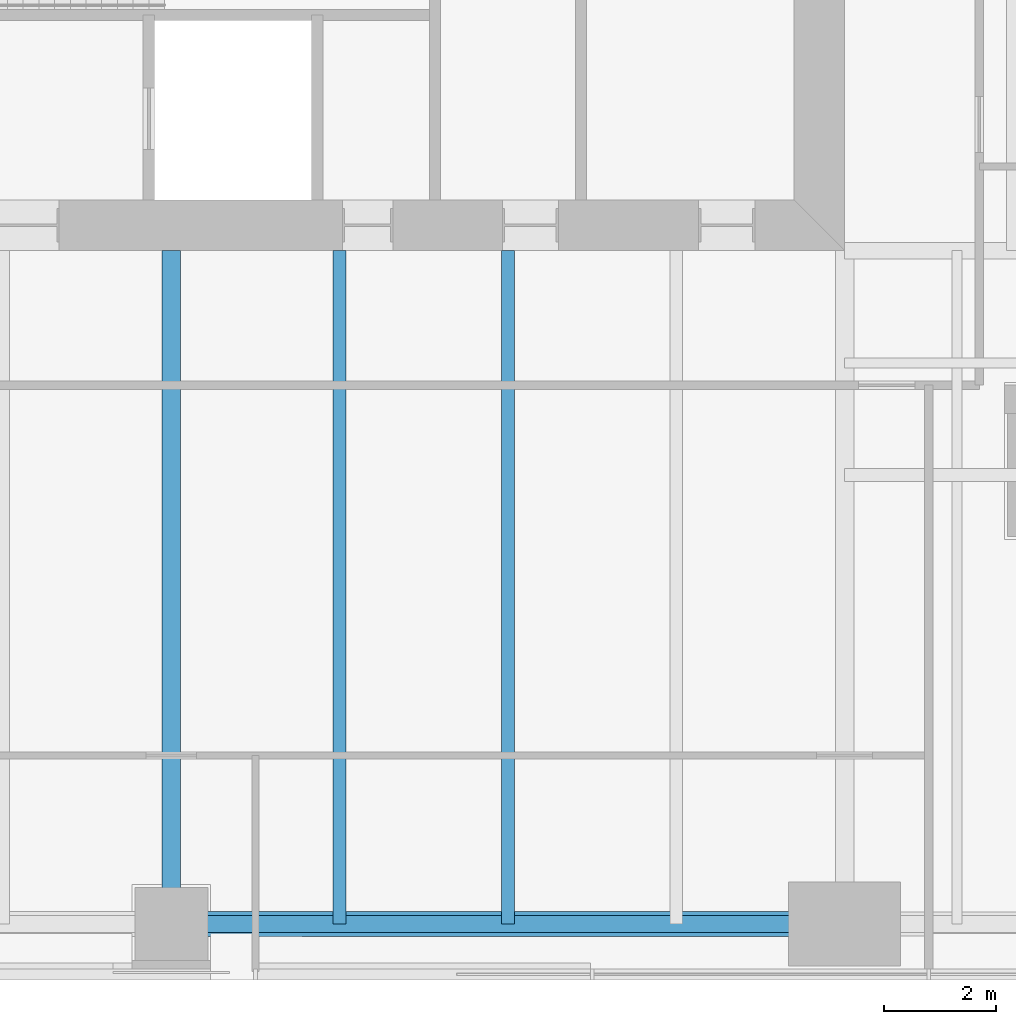
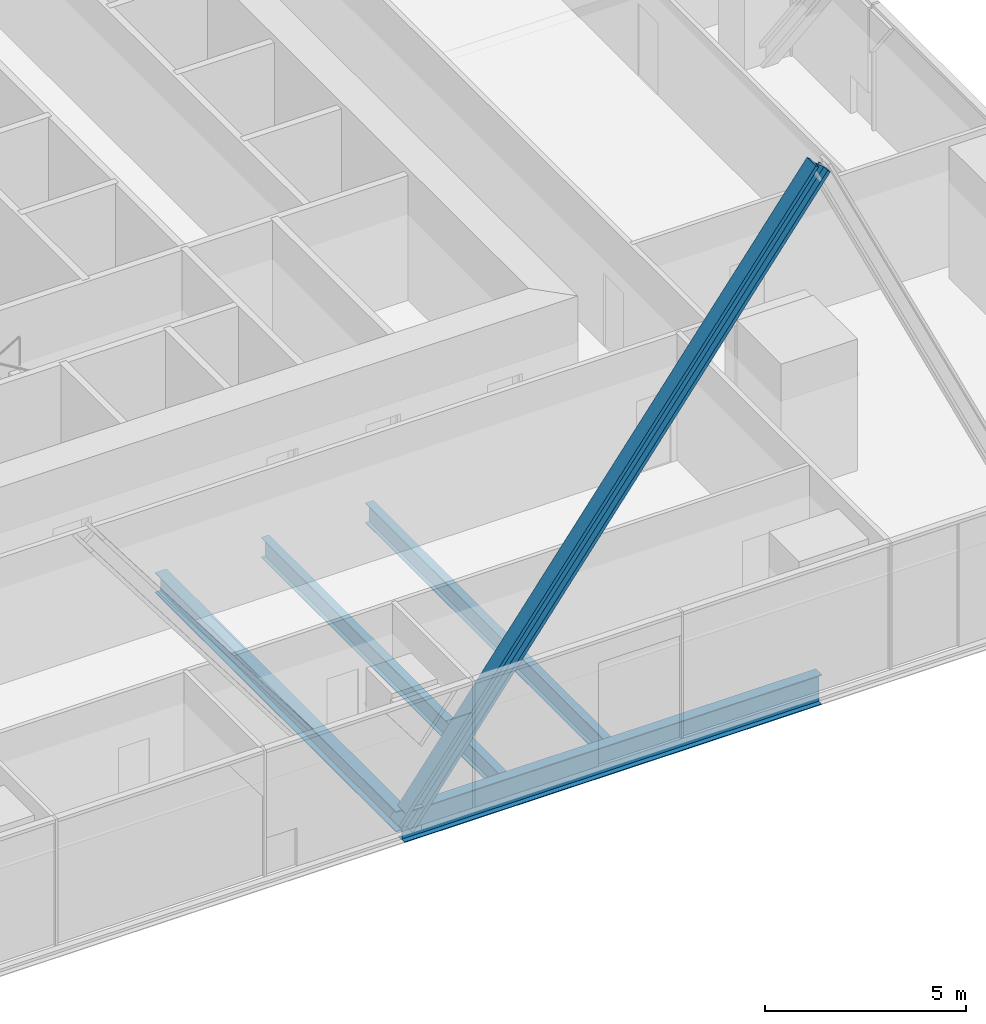
# One storey, part 3 of 13: 4 beams, 1 member.
"""IFC4 building model written with IfcOpenShell, lengths in metres."""

from ifc_helpers import new_model, si_unit, direction, frame, origin, origin_2d, place, context, subcontext, project, spatial, i_section, extrude, material, material_profile, profile_set, type_object, element, save


model = new_model("IFC4")

# Units and contexts
model_context = context("Model", 3, precision=1e-05, world=origin(), true_north=direction((0.0, 1.0)))
body_context = subcontext(model_context, "Body", "Model", "MODEL_VIEW")
ifc_project = project(units=[si_unit("LENGTHUNIT", "METRE"), si_unit("AREAUNIT", "SQUARE_METRE"), si_unit("VOLUMEUNIT", "CUBIC_METRE"), si_unit("PLANEANGLEUNIT", "RADIAN"), si_unit("MASSUNIT", "GRAM", prefix="KILO")], contexts=[model_context])

# Site, building, storey
site_placement = place(None, origin())
site = spatial("IfcSite", under=ifc_project, at=site_placement, CompositionType="ELEMENT")
building_placement = place(site_placement, origin())
building = spatial("IfcBuilding", under=site, at=building_placement, Name="Fenwick Lantern Interchange", CompositionType="ELEMENT")
storey_placement = place(building_placement, frame((0.0, 0.0, 146.39990234375)))
storey = spatial("IfcBuildingStorey", under=building, at=storey_placement, Name="L34", CompositionType="ELEMENT", Elevation=146.39990234375)

# Beam
ifc_material = material(Name="Steel ASTM A992 Grade 50", Category="steel")
ifc_material_profile_1 = material_profile(ifc_material, i_section(OverallWidth=0.3046875, OverallDepth=0.911865234375, WebThickness=0.015869140625, FlangeThickness=0.02392578125, at=origin_2d()), Name="W36X150")
ifc_profile_set_1 = profile_set([ifc_material_profile_1], Name="Steel ASTM A992 Grade 50")
beam_type_1 = type_object("IfcBeamType", Name="EDGE BEAM W36X150", PredefinedType="SPANDREL", material=ifc_profile_set_1)
beam_1_placement = place(storey_placement, frame((25.0, 1.0, -0.605712890625), z_axis=(1.0, 0.0, 0.0), x_axis=(0.0, 1.0, 0.0)))
element("IfcBeam", 1, at=beam_1_placement, inside=storey, type_object=beam_type_1, Name="L34/FR/S/EB3", PredefinedType="SPANDREL", context=body_context, shape_type="SweptSolid", body=[
    extrude(i_section(OverallWidth=0.3046875, OverallDepth=0.911865234375, WebThickness=0.015869140625, FlangeThickness=0.02392578125, at=origin_2d()), origin(), (0.0, 0.0, 1.0), 12.0),
])

# Member
ifc_material_profile_2 = material_profile(ifc_material, i_section(OverallWidth=0.44189453125, OverallDepth=0.53076171875, WebThickness=0.06591796875, FlangeThickness=0.105712890625, at=origin_2d()), Name="W14X605")
ifc_profile_set_2 = profile_set([ifc_material_profile_2], Name="Steel ASTM A992 Grade 50")
member_type = type_object("IfcMemberType", Name="FACADE BRACE W14X605", PredefinedType="BRACE", material=ifc_profile_set_2)
member_placement = place(storey_placement, frame((25.0, 1.0, -0.605712890625), z_axis=(0.602768898294, 0.0, 0.797915819651), x_axis=(0.0, 1.0, 0.0)))
element("IfcMember", 2, at=member_placement, inside=storey, type_object=member_type, Name="L34/FB/S/B", PredefinedType="BRACE", context=body_context, shape_type="SweptSolid", body=[
    extrude(i_section(OverallWidth=0.44189453125, OverallDepth=0.53076171875, WebThickness=0.06591796875, FlangeThickness=0.105712890625, at=origin_2d()), origin(), (0.0, 0.0, 1.0), 19.908203125),
])

# Beams
ifc_material_profile_3 = material_profile(ifc_material, i_section(OverallWidth=0.22900390625, OverallDepth=0.612060546875, WebThickness=0.011962890625, FlangeThickness=0.01953125, at=origin_2d()), Name="W24X84")
ifc_profile_set_3 = profile_set([ifc_material_profile_3], Name="Steel ASTM A992 Grade 50")
beam_type_2 = type_object("IfcBeamType", Name="FLOOR BEAM W24X84", PredefinedType="BEAM", material=ifc_profile_set_3)
for number, where, z_axis, x_axis, name in (
    (3, (28.0, 1.0, -0.4560546875), (0.0, 1.0, 0.0), (-1.0, 0.0, 0.0), "L34/FR/S/R06"),
    (4, (31.0, 1.0, -0.4560546875), (0.0, 1.0, 0.0), (-1.0, 0.0, 0.0), "L34/FR/S/R07"),
):
    element("IfcBeam", number, at=place(storey_placement, frame(where, z_axis=z_axis, x_axis=x_axis)), inside=storey, type_object=beam_type_2, Name=name, PredefinedType="BEAM", context=body_context, shape_type="SweptSolid", body=[
        extrude(i_section(OverallWidth=0.22900390625, OverallDepth=0.612060546875, WebThickness=0.011962890625, FlangeThickness=0.01953125, at=origin_2d()), origin(), (0.0, 0.0, 1.0), 12.0),
    ])
ifc_material_profile_4 = material_profile(ifc_material, i_section(OverallWidth=0.32763671875, OverallDepth=0.622314453125, WebThickness=0.015380859375, FlangeThickness=0.0244140625, at=origin_2d()), Name="W24X131")
ifc_profile_set_4 = profile_set([ifc_material_profile_4], Name="Steel ASTM A992 Grade 50")
beam_type_3 = type_object("IfcBeamType", Name="MOMENT-CONNECTED GIRDER W24X131", PredefinedType="BEAM", material=ifc_profile_set_4)
beam_2_placement = place(storey_placement, frame((25.0, 1.0, -0.4609375), z_axis=(0.0, 1.0, 0.0), x_axis=(-1.0, 0.0, 0.0)))
element("IfcBeam", 5, at=beam_2_placement, inside=storey, type_object=beam_type_3, Name="L34/FR/S/R05", PredefinedType="BEAM", context=body_context, shape_type="SweptSolid", body=[
    extrude(i_section(OverallWidth=0.32763671875, OverallDepth=0.622314453125, WebThickness=0.015380859375, FlangeThickness=0.0244140625, at=origin_2d()), origin(), (0.0, 0.0, 1.0), 12.0),
])

save(model, "model.ifc")
